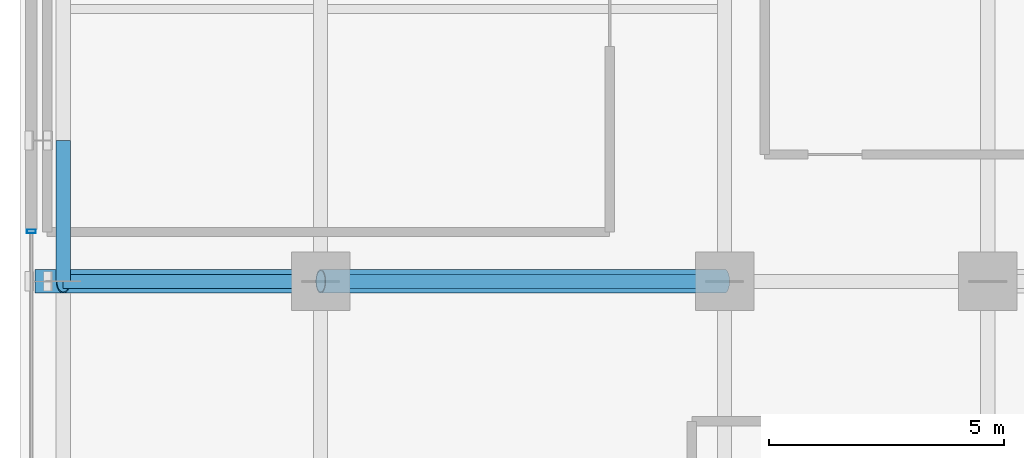
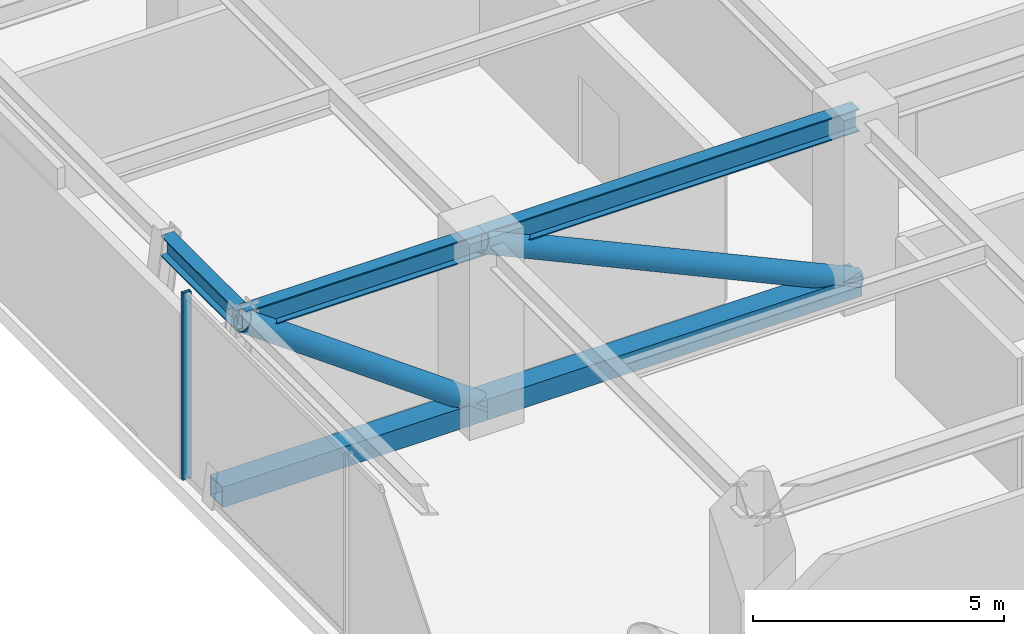
# One storey, part 4 of 15: 5 members, 3 beams, 1 element without a shape of its own.
"""IFC4 building model written with IfcOpenShell, lengths in metres."""

import ifcopenshell
import ifcopenshell.guid

model = None  # the IFC model being written
_history = None  # IfcOwnerHistory: only IFC2X3 demands one
_inside = {}  # id of a spatial element -> (the spatial element, [elements in it])
_under = {}  # id of a project, library or spatial element -> (it, [spatial elements below it])
_declared = {}  # id of a project -> (the project, [libraries it declares])
_typed = {}  # id of a type object -> (the type object, [elements of that type])
_made_of = {}  # id of a material, layer set ... -> (it, [elements and type objects made of it])


def new_model(schema):
    """Start an empty IFC model of exactly this schema.

    Asked for "IFC4X3", IfcOpenShell would pick the latest addendum, in which some entities
    have other attributes; the version numbers below select the first issue.
    IFC2X3 requires an IfcOwnerHistory on every rooted entity: one is made here for all.
    """
    global model, _history
    if schema == "IFC4X3":
        model = ifcopenshell.file(schema_version=(4, 3, 0, 0))
    else:
        model = ifcopenshell.file(schema=schema)
    _inside.clear()
    _under.clear()
    _declared.clear()
    _typed.clear()
    _made_of.clear()
    _history = None
    if model.schema == "IFC2X3":
        org = make("IfcOrganization", Name="unknown")
        user = make(
            "IfcPersonAndOrganization",
            ThePerson=make("IfcPerson", FamilyName="unknown"),
            TheOrganization=org,
        )
        app = make(
            "IfcApplication",
            ApplicationDeveloper=org,
            Version="unknown",
            ApplicationFullName="unknown",
            ApplicationIdentifier="unknown",
        )
        _history = make(
            "IfcOwnerHistory",
            OwningUser=user,
            OwningApplication=app,
            ChangeAction="ADDED",
            CreationDate=0,
        )
    return model


def make(cls, **values):
    """One entity of the class cls with the attributes given. An attribute that is None is left unset."""
    return model.create_entity(
        cls, **{name: value for name, value in values.items() if value is not None}
    )


def rooted(cls, **values):
    """An entity with a GlobalId (a new one), such as an element, a storey or a relation."""
    return make(cls, GlobalId=ifcopenshell.guid.new(), OwnerHistory=_history, **values)


def si_unit(unit_type, name, prefix=None):
    """IfcSIUnit, for example si_unit("LENGTHUNIT", "METRE", prefix="MILLI")."""
    return make("IfcSIUnit", UnitType=unit_type, Prefix=prefix, Name=name)


def assignment(units):
    """IfcUnitAssignment: the units of a project."""
    return None if units is None else make("IfcUnitAssignment", Units=units)


def point(xyz):
    """IfcCartesianPoint."""
    return None if xyz is None else make("IfcCartesianPoint", Coordinates=xyz)


def direction(xyz):
    """IfcDirection."""
    return None if xyz is None else make("IfcDirection", DirectionRatios=xyz)


def frame(location, z_axis=None, x_axis=None):
    """IfcAxis2Placement3D, a coordinate frame: its origin and axes. An axis left out is left unset."""
    return make(
        "IfcAxis2Placement3D",
        Location=point(location),
        Axis=direction(z_axis),
        RefDirection=direction(x_axis),
    )


def frame_2d(location, x_axis=None):
    """IfcAxis2Placement2D, a coordinate frame in the plane: its origin and x axis."""
    return make(
        "IfcAxis2Placement2D", Location=point(location), RefDirection=direction(x_axis)
    )


def origin():
    """The frame at (0, 0, 0) with its axes left unset."""
    return frame((0.0, 0.0, 0.0))


def origin_2d():
    """The frame at (0, 0) in the plane with its x axis left unset."""
    return frame_2d((0.0, 0.0))


def place(relative_to, where):
    """IfcLocalPlacement: puts the frame where relative to a parent placement (None: the world)."""
    return make(
        "IfcLocalPlacement", PlacementRelTo=relative_to, RelativePlacement=where
    )


def context(
    kind, dimensions, precision=None, world=None, true_north=None, identifier=None
):
    """IfcGeometricRepresentationContext, for example the 3D "Model" context."""
    return make(
        "IfcGeometricRepresentationContext",
        ContextIdentifier=identifier,
        ContextType=kind,
        CoordinateSpaceDimension=dimensions,
        Precision=precision,
        WorldCoordinateSystem=world,
        TrueNorth=true_north,
    )


def subcontext(parent, identifier, kind, view, scale=None):
    """IfcGeometricRepresentationSubContext, for example "Body" below "Model"."""
    return make(
        "IfcGeometricRepresentationSubContext",
        ContextIdentifier=identifier,
        ContextType=kind,
        ParentContext=parent,
        TargetScale=scale,
        TargetView=view,
    )


def project(units=None, contexts=None):
    """IfcProject with its units and contexts."""
    return rooted(
        "IfcProject",
        Name="project",
        RepresentationContexts=contexts,
        UnitsInContext=assignment(units),
    )


def spatial(cls, under=None, at=None, **own):
    """A site, building, storey or space (cls), placed at a placement, below another one or the project."""
    s = rooted(cls, ObjectPlacement=at, **own)
    if under is not None:
        _under.setdefault(under.id(), (under, []))[1].append(s)
    return s


def profile(cls, at=None, kind="AREA", **sizes):
    """A parametric profile (cls). Its sizes go by their IFC names, for example OverallWidth=200.0."""
    return make(cls, ProfileType=kind, Position=at, **sizes)


def hollow_rectangle(**sizes):
    """IfcRectangleHollowProfileDef."""
    return profile("IfcRectangleHollowProfileDef", **sizes)


def hollow_circle(**sizes):
    """IfcCircleHollowProfileDef."""
    return profile("IfcCircleHollowProfileDef", **sizes)


def i_section(**sizes):
    """IfcIShapeProfileDef."""
    return profile("IfcIShapeProfileDef", **sizes)


def extrude(swept, where, along, depth):
    """IfcExtrudedAreaSolid: the profile swept, set in the frame where, extruded along a direction by depth."""
    return make(
        "IfcExtrudedAreaSolid",
        SweptArea=swept,
        Position=where,
        ExtrudedDirection=direction(along),
        Depth=depth,
    )


def shape(context_of_items, identifier, shape_type, items):
    """IfcShapeRepresentation: the items that make up one representation, for example the "Body"."""
    return make(
        "IfcShapeRepresentation",
        ContextOfItems=context_of_items,
        RepresentationIdentifier=identifier,
        RepresentationType=shape_type,
        Items=items,
    )


def source(mapping_origin, context_of_items, identifier, shape_type, items):
    """IfcRepresentationMap: a shape defined once, which mapped items show again and again."""
    return make(
        "IfcRepresentationMap",
        MappingOrigin=mapping_origin,
        MappedRepresentation=shape(context_of_items, identifier, shape_type, items),
    )


def transform(
    local_origin,
    x_axis=None,
    y_axis=None,
    z_axis=None,
    scale=None,
    scale2=None,
    scale3=None,
    uniform=True,
):
    """IfcCartesianTransformationOperator3D, or its non-uniform kind. x_axis, y_axis, z_axis: its Axis1, 2, 3."""
    if uniform:
        return make(
            "IfcCartesianTransformationOperator3D",
            Axis1=direction(x_axis),
            Axis2=direction(y_axis),
            LocalOrigin=point(local_origin),
            Scale=scale,
            Axis3=direction(z_axis),
        )
    return make(
        "IfcCartesianTransformationOperator3DnonUniform",
        Axis1=direction(x_axis),
        Axis2=direction(y_axis),
        LocalOrigin=point(local_origin),
        Scale=scale,
        Axis3=direction(z_axis),
        Scale2=scale2,
        Scale3=scale3,
    )


def mapped(mapping_source, mapping_target):
    """IfcMappedItem: shows the shape of a source again, moved by a transform."""
    return make(
        "IfcMappedItem", MappingSource=mapping_source, MappingTarget=mapping_target
    )


def material(Name=None, Category=None):
    """IfcMaterial."""
    return make("IfcMaterial", Name=Name, Category=Category)


def material_profile(
    of_material, cross_section, Name=None, Category=None, Priority=None
):
    """IfcMaterialProfile: a cross section and its material."""
    return make(
        "IfcMaterialProfile",
        Name=Name,
        Material=of_material,
        Profile=cross_section,
        Priority=Priority,
        Category=Category,
    )


def profile_set(profiles, Name=None, composite=None):
    """IfcMaterialProfileSet."""
    return make(
        "IfcMaterialProfileSet",
        Name=Name,
        MaterialProfiles=profiles,
        CompositeProfile=composite,
    )


def made_of(thing, what):
    """Note that an element or type object is made of a material, layer set ...; save() writes the relation."""
    if what is not None:
        _made_of.setdefault(what.id(), (what, []))[1].append(thing)
    return thing


def type_object(cls, material=None, **own):
    """A type object (cls), such as IfcWallType, which elements share."""
    return made_of(rooted(cls, **own), material)


def element(
    cls,
    number,
    at=None,
    inside=None,
    cuts=None,
    type_object=None,
    material=None,
    context=None,
    identifier="Body",
    shape_type=None,
    held_by="IfcProductDefinitionShape",
    body=None,
    shapes=None,
    **own,
):
    """One element of the class cls, such as IfcWall. Its Tag is "e" and its number.

    at: its placement. inside: the storey or other place that contains it. cuts: it is an
    opening in that element (IfcRelVoidsElement). A single representation is given by context,
    identifier, shape_type and body (its items); several are given by shapes. held_by: the class
    of the entity that holds the representations. save() writes the other relations.
    """
    e = rooted(cls, Tag="e%d" % number, ObjectPlacement=at, **own)
    if body is not None:
        shapes = [shape(context, identifier, shape_type, body)]
    if shapes is not None:
        e.Representation = make(held_by, Representations=shapes)
    if inside is not None:
        _inside.setdefault(inside.id(), (inside, []))[1].append(e)
    if cuts is not None:
        rooted(
            "IfcRelVoidsElement", RelatingBuildingElement=cuts, RelatedOpeningElement=e
        )
    if type_object is not None:
        _typed.setdefault(type_object.id(), (type_object, []))[1].append(e)
    return made_of(e, material)


def aggregate(whole, parts):
    """IfcRelAggregates: a whole, such as a stair, and the parts it consists of."""
    return rooted("IfcRelAggregates", RelatingObject=whole, RelatedObjects=parts)


def save(model, path):
    """Write the relations noted so far, then the file.

    IfcRelAggregates (storeys below a building ...), IfcRelContainedInSpatialStructure (elements
    in a storey), IfcRelDefinesByType, IfcRelAssociatesMaterial and IfcRelDeclares: one each for
    every whole, place, type object, material and project.
    """
    for whole, parts in _under.values():
        aggregate(whole, parts)
    for where, things in _inside.values():
        rooted(
            "IfcRelContainedInSpatialStructure",
            RelatedElements=things,
            RelatingStructure=where,
        )
    for kind, things in _typed.values():
        rooted("IfcRelDefinesByType", RelatedObjects=things, RelatingType=kind)
    for what, things in _made_of.values():
        rooted("IfcRelAssociatesMaterial", RelatedObjects=things, RelatingMaterial=what)
    for by, libraries in _declared.values():
        rooted("IfcRelDeclares", RelatingContext=by, RelatedDefinitions=libraries)
    model.write(path)


model = new_model("IFC4")

# Units and contexts
model_context = context("Model", 3, precision=1e-05, world=origin(), true_north=direction((0.0, 1.0)))
body_context = subcontext(model_context, "Body", "Model", "MODEL_VIEW")
ifc_project = project(units=[si_unit("LENGTHUNIT", "METRE"), si_unit("AREAUNIT", "SQUARE_METRE"), si_unit("VOLUMEUNIT", "CUBIC_METRE"), si_unit("PLANEANGLEUNIT", "RADIAN"), si_unit("MASSUNIT", "GRAM", prefix="KILO")], contexts=[model_context])

# Site, building, storey
site_placement = place(None, origin())
site = spatial("IfcSite", under=ifc_project, at=site_placement, CompositionType="ELEMENT")
building_placement = place(site_placement, origin())
building = spatial("IfcBuilding", under=site, at=building_placement, Name="Nahalor Promenade Grand Hotel", CompositionType="ELEMENT")
storey_placement = place(building_placement, frame((0.0, 0.0, 144.199951171875)))
storey = spatial("IfcBuildingStorey", under=building, at=storey_placement, Name="L36", CompositionType="ELEMENT", Elevation=144.199951171875)

# Beams
ifc_material_1 = material(Name="Steel S355JR", Category="steel")
ifc_material_profile_1 = material_profile(ifc_material_1, i_section(OverallWidth=0.3, OverallDepth=0.5, WebThickness=0.0145, FlangeThickness=0.028, at=origin_2d()), Name="HEB 500")
ifc_profile_set_1 = profile_set([ifc_material_profile_1], Name="Steel S355JR")
beam_type_1 = type_object("IfcBeamType", Name="Beam-Spandrel-HEB500", PredefinedType="SPANDREL", material=ifc_profile_set_1)
shared_shape_1 = source(origin(), body_context, "Body", "SweptSolid", [
    extrude(i_section(OverallWidth=0.3, OverallDepth=0.5, WebThickness=0.0145, FlangeThickness=0.028, at=origin_2d()), origin(), (0.0, 0.0, 1.0), 3.0),
])
beam_1_placement = place(storey_placement, frame((-22.47998046875, 5.39990234375, 4.2900390625), z_axis=(0.0, 1.0, 0.0), x_axis=(-1.0, 0.0, 0.0)))
element("IfcBeam", 1, at=beam_1_placement, inside=storey, type_object=beam_type_1, Name="BM-L36-SP-W-3", PredefinedType="SPANDREL", context=body_context, shape_type="MappedRepresentation", body=[
    mapped(shared_shape_1, transform((0.0, 0.0, 0.0), scale=1.0)),
])
ifc_material_profile_2 = material_profile(ifc_material_1, i_section(OverallWidth=0.3, OverallDepth=0.55, WebThickness=0.015, FlangeThickness=0.029, at=origin_2d()), Name="HEB 550")
ifc_profile_set_2 = profile_set([ifc_material_profile_2], Name="Steel S355JR")
beam_type_2 = type_object("IfcBeamType", Name="Beam-Girder-HEB550", PredefinedType="BEAM", material=ifc_profile_set_2)
shared_shape_2 = source(origin(), body_context, "Body", "SweptSolid", [
    extrude(i_section(OverallWidth=0.3, OverallDepth=0.55, WebThickness=0.015, FlangeThickness=0.029, at=origin_2d()), origin(), (0.0, 0.0, 1.0), 8.60009765625),
])
beam_2_placement = place(storey_placement, frame((-17.0, 5.39990234375, 4.26513671875), z_axis=(1.0, 0.0, 0.0), x_axis=(0.0, 1.0, 0.0)))
element("IfcBeam", 2, at=beam_2_placement, inside=storey, type_object=beam_type_2, Name="BM-L36-GX-2-1", PredefinedType="BEAM", context=body_context, shape_type="MappedRepresentation", body=[
    mapped(shared_shape_2, transform((0.0, 0.0, 0.0), scale=1.0)),
])
shared_shape_3 = source(origin(), body_context, "Body", "SweptSolid", [
    extrude(i_section(OverallWidth=0.3, OverallDepth=0.55, WebThickness=0.015, FlangeThickness=0.029, at=origin_2d()), origin(), (0.0, 0.0, 1.0), 5.47998046875),
])
beam_3_placement = place(storey_placement, frame((-22.47998046875, 5.39990234375, 4.26513671875), z_axis=(1.0, 0.0, 0.0), x_axis=(0.0, 1.0, 0.0)))
element("IfcBeam", 3, at=beam_3_placement, inside=storey, type_object=beam_type_2, Name="BM-L36-GX-2-0", PredefinedType="BEAM", context=body_context, shape_type="MappedRepresentation", body=[
    mapped(shared_shape_3, transform((0.0, 0.0, 0.0), scale=1.0)),
])

# Members
ifc_material_2 = material(Name="Steel S355J2", Category="steel")
ifc_material_profile_3 = material_profile(ifc_material_2, hollow_rectangle(XDim=0.5, YDim=0.5, WallThickness=0.032, at=origin_2d()), Name="SHS 500x500x32")
ifc_profile_set_3 = profile_set([ifc_material_profile_3], Name="Steel S355J2")
member_type_1 = type_object("IfcMemberType", Name="Mem-Chord-SHS500", PredefinedType="CHORD", material=ifc_profile_set_3)
shared_shape_4 = source(origin(), body_context, "Body", "SweptSolid", [
    extrude(hollow_rectangle(XDim=0.5, YDim=0.5, WallThickness=0.032, at=origin_2d()), origin(), (0.0, 0.0, 1.0), 8.60009765625),
])
member_1_placement = place(storey_placement, frame((-8.39990234375, 5.39990234375, 0.300048828125), z_axis=(-1.0, 0.0, 0.0), x_axis=(0.0, -1.0, 0.0)))
element("IfcMember", 4, at=member_1_placement, inside=storey, type_object=member_type_1, Name="OU-L36-W2-C1", PredefinedType="CHORD", context=body_context, shape_type="MappedRepresentation", body=[
    mapped(shared_shape_4, transform((0.0, 0.0, 0.0), scale=1.0)),
])
ifc_material_profile_4 = material_profile(ifc_material_2, hollow_circle(Radius=0.254, WallThickness=0.025, at=origin_2d()), Name="CHS 508x25")
ifc_profile_set_4 = profile_set([ifc_material_profile_4], Name="Steel S355J2")
member_type_2 = type_object("IfcMemberType", Name="Mem-OutDiag-CHS508", PredefinedType="BRACE", material=ifc_profile_set_4)
shared_shape_5 = source(origin(), body_context, "Body", "SweptSolid", [
    extrude(hollow_circle(Radius=0.254, WallThickness=0.025, at=origin_2d()), origin(), (0.0, 0.0, 1.0), 9.4638671875),
])
member_2_placement = place(storey_placement, frame((-8.39990234375, 5.39990234375, 0.300048828125), z_axis=(-0.908734762388, 0.0, 0.417374090748), x_axis=(0.0, -1.0, 0.0)))
element("IfcMember", 5, at=member_2_placement, inside=storey, type_object=member_type_2, Name="OU-L36-W2-D1", PredefinedType="BRACE", context=body_context, shape_type="MappedRepresentation", body=[
    mapped(shared_shape_5, transform((0.0, 0.0, 0.0), scale=1.0)),
])
shared_shape_6 = source(origin(), body_context, "Body", "SweptSolid", [
    extrude(hollow_circle(Radius=0.254, WallThickness=0.025, at=origin_2d()), origin(), (0.0, 0.0, 1.0), 6.755126953125),
])
member_3_placement = place(storey_placement, frame((-17.0, 5.39990234375, 0.300048828125), z_axis=(-0.811227809451, 0.0, 0.5847302294), x_axis=(0.0, -1.0, 0.0)))
element("IfcMember", 6, at=member_3_placement, inside=storey, type_object=member_type_2, Name="OU-L36-W2-D2", PredefinedType="BRACE", context=body_context, shape_type="MappedRepresentation", body=[
    mapped(shared_shape_6, transform((0.0, 0.0, 0.0), scale=1.0)),
])
shared_shape_7 = source(origin(), body_context, "Body", "SweptSolid", [
    extrude(hollow_rectangle(XDim=0.5, YDim=0.5, WallThickness=0.032, at=origin_2d()), origin(), (0.0, 0.0, 1.0), 6.080078125),
])
member_4_placement = place(storey_placement, frame((-17.0, 5.39990234375, 0.300048828125), z_axis=(-1.0, 0.0, 0.0), x_axis=(0.0, -1.0, 0.0)))
element("IfcMember", 7, at=member_4_placement, inside=storey, type_object=member_type_1, Name="OU-L36-W2-C2", PredefinedType="CHORD", context=body_context, shape_type="MappedRepresentation", body=[
    mapped(shared_shape_7, transform((0.0, 0.0, 0.0), scale=1.0)),
])

# Curtain wall, member
ifc_material_3 = material(Name="Anodised Bronze Aluminium EN AW-6063 T6", Category="aluminium")
curtain_wall_type = type_object("IfcCurtainWallType", Name="CW6 Crown Botanical Conservatory Curtain Wall", PredefinedType="USERDEFINED", material=ifc_material_3)
curtain_wall_placement = place(storey_placement, origin())
curtain_wall = element("IfcCurtainWall", 8, at=curtain_wall_placement, inside=storey, type_object=curtain_wall_type, Name="L36 Curtain Wall CW-L36-W", ObjectType="UNITISED_CURTAIN_WALL", PredefinedType="USERDEFINED")
ifc_material_profile_5 = material_profile(ifc_material_3, hollow_rectangle(XDim=0.075, YDim=0.19, WallThickness=0.005, at=origin_2d()), Name="CWM 75x190x5")
ifc_profile_set_5 = profile_set([ifc_material_profile_5], Name="Anodised Bronze Aluminium EN AW-6063 T6")
member_type_3 = type_object("IfcMemberType", Name="CWM6 Conservatory Bronze Mullion 75x190", PredefinedType="MULLION", material=ifc_profile_set_5)
shared_shape_8 = source(origin(), body_context, "Body", "SweptSolid", [
    extrude(hollow_rectangle(XDim=0.075, YDim=0.19, WallThickness=0.005, at=origin_2d()), origin(), (0.0, 0.0, 1.0), 4.5400390625),
])
member_5_placement = place(storey_placement, frame((-23.159912109375, 6.46240234375, 0.0), z_axis=(0.0, 0.0, 1.0), x_axis=(0.0, 1.0, 0.0)))
member_5 = element("IfcMember", 9, at=member_5_placement, type_object=member_type_3, Name="CW-L36-W Mullion 2", PredefinedType="MULLION", context=body_context, shape_type="MappedRepresentation", body=[
    mapped(shared_shape_8, transform((0.0, 0.0, 0.0), scale=1.0)),
])
aggregate(curtain_wall, [member_5])

save(model, "model.ifc")
